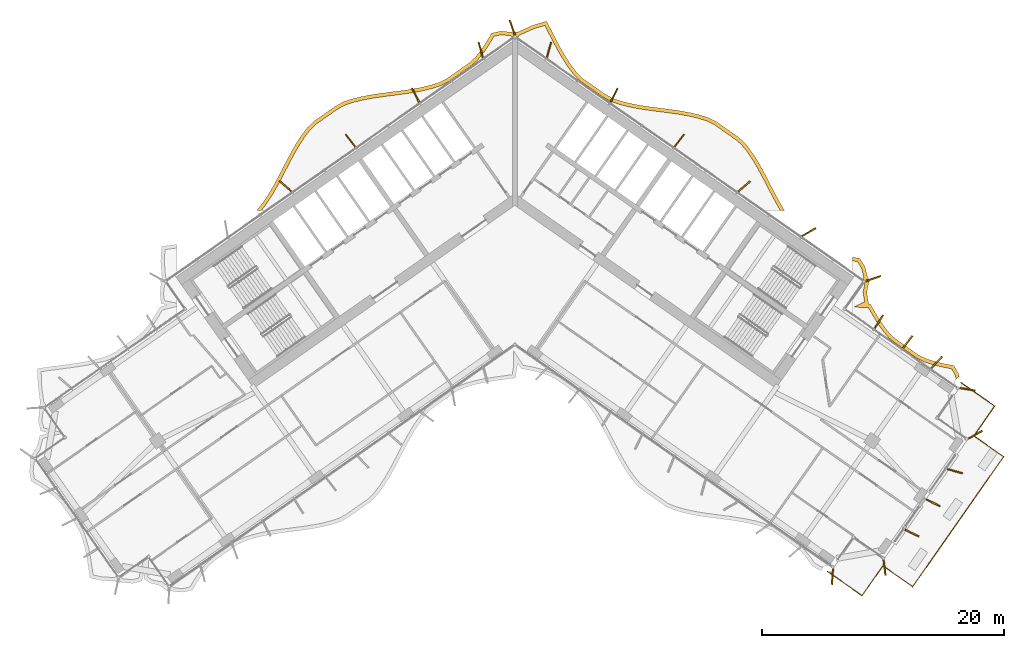
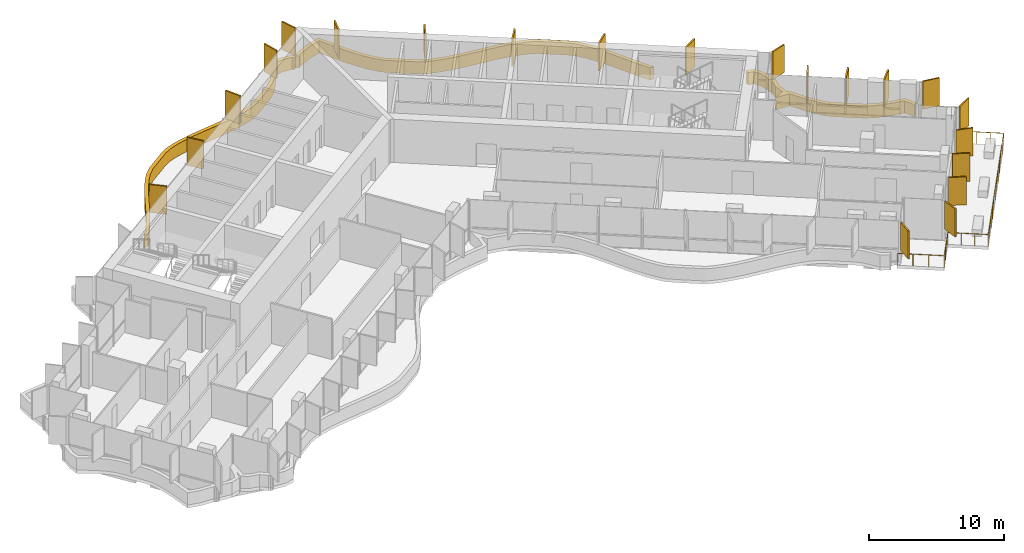
# One storey, part 21 of 22: 23 shading devices, 1 railing.
"""IFC4 building model written with IfcOpenShell, lengths in metres."""

from ifc_helpers import new_model, si_unit, direction, frame, origin, origin_2d, place, context, subcontext, project, spatial, polyline, rectangle, circle, outline, extrude, material, layer, layer_set, type_object, element, save


model = new_model("IFC4")

# Units and contexts
model_context = context("Model", 3, precision=1e-05, world=origin(), true_north=direction((0.0, 1.0)))
body_context = subcontext(model_context, "Body", "Model", "MODEL_VIEW")
ifc_project = project(units=[si_unit("LENGTHUNIT", "METRE"), si_unit("AREAUNIT", "SQUARE_METRE"), si_unit("VOLUMEUNIT", "CUBIC_METRE"), si_unit("PLANEANGLEUNIT", "RADIAN"), si_unit("MASSUNIT", "GRAM", prefix="KILO")], contexts=[model_context])

# Site, building, storey
site_placement = place(None, origin())
site = spatial("IfcSite", under=ifc_project, at=site_placement, CompositionType="ELEMENT")
building_placement = place(site_placement, origin())
building = spatial("IfcBuilding", under=site, at=building_placement, Name="Tel Ilan Convention Tower", CompositionType="ELEMENT")
storey_placement = place(building_placement, frame((0.0, 0.0, 143.699951171875)))
storey = spatial("IfcBuildingStorey", under=building, at=storey_placement, Name="L32", CompositionType="ELEMENT", Elevation=143.699951171875)

# Shading devices
ifc_material_1 = material(Name="Aluminium, bronze anodised", Category="aluminium")
ifc_layer_1 = layer(ifc_material_1, 0.1201171875)
ifc_layer_set_1 = layer_set([ifc_layer_1], Name="FIN BRONZE 1300x120")
shading_device_type_1 = type_object("IfcShadingDeviceType", Name="FIN BRONZE 1300x120", PredefinedType="USERDEFINED", material=ifc_layer_set_1)
for number, where, z_axis, x_axis, name in (
    (1, (32.76708984375, -28.26123046875, 1.10009765625), (0.0, 0.0, 1.0), (0.893632640321, -0.448799180206, 0.0), "FIN"),
    (2, (34.5166015625, -25.762939453125, 1.10009765625), (0.0, 0.0, 1.0), (0.893632640321, -0.448799180206, 0.0), "FIN"),
    (3, (36.320556640625, -23.153564453125, 1.10009765625), (0.0, 0.0, 1.0), (0.963370878614, -0.268172612768, 0.0), "FIN"),
    (4, (38.01318359375, -20.146728515625, 1.10009765625), (0.0, 0.0, 1.0), (0.870832754082, 0.491579408049, 0.0), "FIN"),
    (5, (37.3515625, -16.394775390625, 1.10009765625), (0.0, 0.0, 1.0), (0.986445172547, -0.16409119891, 0.0), "FIN"),
    (6, (34.807373046875, -14.17724609375, 1.10009765625), (0.0, 0.0, 1.0), (0.686241637865, 0.727373641577, 0.0), "FIN"),
    (7, (32.421630859375, -12.50634765625, 1.10009765625), (0.0, 0.0, 1.0), (0.612600545196, 0.790392669516, 0.0), "FIN"),
    (8, (30.035400390625, -10.83544921875, 1.10009765625), (0.0, 0.0, 1.0), (0.533204432798, 0.845986425922, 0.0), "FIN"),
    (9, (29.583984375, -7.253173828125, 1.10009765625), (0.0, 0.0, 1.0), (0.949242643575, 0.314544756146, 0.0), "FIN"),
    (10, (24.270751953125, -3.427001953125, 1.10009765625), (0.0, 0.0, 1.0), (0.866025403784, 0.5, 0.0), "FIN"),
    (11, (18.926025390625, 0.353271484375, 1.10009765625), (0.0, 0.0, 1.0), (0.753435896329, 0.657521368568, 0.0), "FIN"),
    (12, (13.562744140625, 4.116943359375, 1.10009765625), (0.0, 0.0, 1.0), (0.612600545196, 0.790392669516, 0.0), "FIN"),
    (13, (8.1943359375, 7.87548828125, 1.10009765625), (0.0, 0.0, 1.0), (0.448799180206, 0.893632640321, 0.0), "FIN"),
    (14, (2.818115234375, 11.616943359375, 1.10009765625), (0.0, 0.0, 1.0), (0.268172612768, 0.963370878614, 0.0), "FIN"),
    (15, (-0.21630859375, 13.450439453125, 1.10009765625), (0.0, 0.0, 1.0), (-0.332892691468, 0.942964716183, 0.0), "FIN"),
    (16, (-2.818115234375, 11.616943359375, 1.10009765625), (0.0, 0.0, 1.0), (-0.268172612768, 0.963370878614, 0.0), "FIN"),
    (17, (-8.1943359375, 7.87548828125, 1.10009765625), (0.0, 0.0, 1.0), (-0.448799180206, 0.893632640321, 0.0), "FIN"),
    (18, (-13.562744140625, 4.116943359375, 1.10009765625), (0.0, 0.0, 1.0), (-0.612600545196, 0.790392669516, 0.0), "FIN"),
    (19, (-18.926025390625, 0.353271484375, 1.10009765625), (0.0, 0.0, 1.0), (-0.753435896329, 0.657521368568, 0.0), "FIN"),
    (20, (26.21044921875, -31.8623046875, 1.10009765625), (0.0, 0.0, 1.0), (-0.067821812994, -0.997697449973, 0.0), "FIN"),
    (21, (30.512451171875, -31.110595703125, 1.10009765625), (0.0, 0.0, 1.0), (0.125718016748, -0.992066016082, 0.0), "FIN"),
):
    element("IfcShadingDevice", number, at=place(storey_placement, frame(where, z_axis=z_axis, x_axis=x_axis)), inside=storey, type_object=shading_device_type_1, Name=name, ObjectType="FIN", PredefinedType="USERDEFINED", context=body_context, shape_type="SweptSolid", body=[
        extrude(rectangle(XDim=1.300048828125, YDim=0.1201171875, at=origin_2d()), origin(), (0.0, 0.0, 1.0), 2.52001953125),
    ])
ifc_material_2 = material(Name="Aluminium, bronze anodised", Category="aluminium")
ifc_layer_2 = layer(ifc_material_2, 0.300048828125)
ifc_layer_set_2 = layer_set([ifc_layer_2], Name="LOUVRE BAND 300x1100")
shading_device_type_2 = type_object("IfcShadingDeviceType", Name="LOUVRE BAND 300x1100", PredefinedType="USERDEFINED", material=ifc_layer_set_2)
shading_device_1_placement = place(storey_placement, origin())
element("IfcShadingDevice", 22, at=shading_device_1_placement, inside=storey, type_object=shading_device_type_2, Name="LOUVRE BAND 26.01", ObjectType="LOUVRE", PredefinedType="USERDEFINED", context=body_context, shape_type="SweptSolid", body=[
    extrude(outline(polyline([(28.465576171875, -5.595458984375), (27.874755859375, -5.485595703125), (27.874755859375, -5.790771484375), (28.28271484375, -5.86669921875), (28.614990234375, -6.387451171875), (28.806640625, -7.1533203125), (28.713134765625, -7.286865234375), (28.958740234375, -7.458984375), (28.787353515625, -7.705322265625), (28.869384765625, -7.7626953125), (28.73974609375, -8.364990234375), (28.8642578125, -9.165283203125), (28.0048828125, -9.60888671875), (29.1767578125, -9.66748046875), (29.4873046875, -10.21435546875), (29.89990234375, -10.88916015625), (30.34521484375, -11.528564453125), (30.840576171875, -12.135986328125), (31.430419921875, -12.60791015625), (33.2109375, -13.8544921875), (33.9091796875, -14.1796875), (34.653564453125, -14.409912109375), (35.416748046875, -14.58935546875), (36.052734375, -14.7099609375), (36.35009765625, -15.24609375), (36.4267578125, -15.54736328125), (36.52294921875, -15.447021484375), (36.605712890625, -15.39453125), (36.689208984375, -15.361572265625), (36.63134765625, -15.134521484375), (36.246826171875, -14.44140625), (35.47900390625, -14.2958984375), (34.732177734375, -14.1201171875), (34.017333984375, -13.899169921875), (33.361328125, -13.59375), (31.6103515625, -12.36767578125), (31.052978515625, -11.921630859375), (30.5849609375, -11.347900390625), (30.151123046875, -10.72509765625), (29.74560546875, -10.06201171875), (29.356201171875, -9.3759765625), (29.132080078125, -9.36474609375), (29.19384765625, -9.332763671875), (29.044921875, -8.373779296875), (29.20458984375, -7.631103515625), (29.199951171875, -7.6279296875), (29.236083984375, -7.57373046875), (29.2587890625, -7.458984375), (29.236083984375, -7.34423828125), (29.1708984375, -7.246826171875), (29.127685546875, -7.218017578125), (28.894287109375, -6.267333984375), (28.465576171875, -5.595458984375)])), origin(), (0.0, 0.0, 1.0), 1.10009765625),
])
shading_device_2_placement = place(storey_placement, origin())
element("IfcShadingDevice", 23, at=shading_device_2_placement, inside=storey, type_object=shading_device_type_2, Name="LOUVRE BAND 26.03", ObjectType="LOUVRE", PredefinedType="USERDEFINED", context=body_context, shape_type="SweptSolid", body=[
    extrude(outline(polyline([(-20.849609375, -1.0634765625), (-21.30126953125, -1.631591796875), (-20.91796875, -1.631591796875), (-20.607666015625, -1.2412109375), (-20.154052734375, -0.572265625), (-19.73291015625, 0.13330078125), (-19.335205078125, 0.86328125), (-18.57080078125, 2.342041015625), (-18.1845703125, 3.06298828125), (-17.78369140625, 3.75341796875), (-17.359619140625, 4.40185546875), (-16.911376953125, 4.99072265625), (-16.409912109375, 5.478515625), (-14.633056640625, 6.722412109375), (-14.02197265625, 7.05712890625), (-13.32763671875, 7.284912109375), (-12.58056640625, 7.4697265625), (-11.800048828125, 7.61669921875), (-10.994384765625, 7.73681640625), (-9.345458984375, 7.94873046875), (-8.521484375, 8.068603515625), (-7.710693359375, 8.216064453125), (-6.921875, 8.404296875), (-6.152587890625, 8.64794921875), (-5.447509765625, 9.00390625), (-3.604248046875, 10.29443359375), (-3.021484375, 10.82373046875), (-2.525634765625, 11.46142578125), (-2.076904296875, 12.135498046875), (-1.727783203125, 12.727294921875), (-1.12451171875, 12.861572265625), (-0.33935546875, 12.77978515625), (-0.24609375, 12.646728515625), (0.0, 12.818115234375), (0.24609375, 12.646728515625), (0.3701171875, 12.82373046875), (1.583984375, 13.365234375), (2.46484375, 13.628173828125), (3.115478515625, 12.37158203125), (3.5078125, 11.636474609375), (3.92041015625, 10.921630859375), (4.362548828125, 10.239501953125), (4.84716796875, 9.595947265625), (5.407958984375, 9.031494140625), (7.251220703125, 7.74072265625), (7.93212890625, 7.353759765625), (8.69921875, 7.09716796875), (9.48291015625, 6.89990234375), (10.2900390625, 6.745361328125), (11.112060546875, 6.621337890625), (12.762939453125, 6.408935546875), (13.572509765625, 6.29248046875), (14.3583984375, 6.15185546875), (15.11279296875, 5.97509765625), (15.819580078125, 5.75537109375), (16.44921875, 5.450927734375), (18.22607421875, 4.206787109375), (18.74951171875, 3.746826171875), (19.200927734375, 3.172607421875), (19.63037109375, 2.533447265625), (20.03515625, 1.850341796875), (20.423583984375, 1.13427734375), (21.186767578125, -0.3427734375), (21.5810546875, -1.075927734375), (21.906005859375, -1.631591796875), (22.25341796875, -1.631591796875), (21.8427734375, -0.928955078125), (21.4521484375, -0.202880859375), (20.688720703125, 1.27490234375), (20.296142578125, 1.998291015625), (19.884033203125, 2.69384765625), (19.44384765625, 3.34912109375), (18.96826171875, 3.9541015625), (18.41162109375, 4.443115234375), (16.6015625, 5.71044921875), (15.929931640625, 6.03515625), (15.191650390625, 6.2646484375), (14.419189453125, 6.44580078125), (13.6201171875, 6.588623046875), (12.80322265625, 6.7060546875), (11.15380859375, 6.91845703125), (10.340576171875, 7.041259765625), (9.547607421875, 7.19287109375), (8.783447265625, 7.385498046875), (8.054931640625, 7.62890625), (7.411865234375, 7.99462890625), (5.601806640625, 9.261962890625), (5.074462890625, 9.792724609375), (4.608642578125, 10.41162109375), (4.17626953125, 11.078369140625), (3.770263671875, 11.7822265625), (3.38134765625, 12.510986328125), (2.6162109375, 13.986328125), (1.4794921875, 13.647216796875), (0.168701171875, 13.059326171875), (0.11474609375, 13.09521484375), (0.0, 13.1181640625), (-0.11474609375, 13.09521484375), (-0.168701171875, 13.059326171875), (-1.14208984375, 13.1650390625), (-1.919921875, 12.991943359375), (-2.3310546875, 12.294921875), (-2.769287109375, 11.63671875), (-3.242431640625, 11.0283203125), (-3.7919921875, 10.529296875), (-5.601806640625, 9.261962890625), (-6.26611328125, 8.926513671875), (-7.002197265625, 8.693603515625), (-7.7724609375, 8.509765625), (-8.570068359375, 8.36474609375), (-9.385986328125, 8.24609375), (-11.03564453125, 8.033935546875), (-11.849853515625, 7.91259765625), (-12.644287109375, 7.76318359375), (-13.41064453125, 7.573486328125), (-14.141845703125, 7.33349609375), (-14.791748046875, 6.977783203125), (-16.6015625, 5.71044921875), (-17.136474609375, 5.1904296875), (-17.604736328125, 4.574951171875), (-18.0390625, 3.9111328125), (-18.44677734375, 3.209228515625), (-18.83642578125, 2.481689453125), (-19.60009765625, 1.004150390625), (-19.993408203125, 0.281982421875), (-20.4072265625, -0.4111328125), (-20.849609375, -1.0634765625)])), origin(), (0.0, 0.0, 1.0), 1.10009765625),
])

# Railing
ifc_material_3 = material(Name="Stainless steel S316", Category="steel")
railing_type = type_object("IfcRailingType", Name="TERRACE GUARD 1100", PredefinedType="GUARDRAIL", material=ifc_material_3)
railing_placement = place(storey_placement, frame((36.83154296875, -15.840576171875, 0.0)))
element("IfcRailing", 24, at=railing_placement, inside=storey, type_object=railing_type, Name="Terrace guard 26.01", PredefinedType="GUARDRAIL", context=body_context, shape_type="SweptSolid", body=[
    extrude(circle(Radius=0.02490234375, at=origin_2d()), frame((0.0, 0.0, 1.0751953125), z_axis=(0.819194741117, -0.57351545413, 0.0), x_axis=(0.57351545413, 0.819194741117, 0.0)), (0.0, 0.0, 1.0), 3.3935546875),
    extrude(circle(Radius=0.02490234375, at=origin_2d()), frame((2.780029296875, -1.9462890625, 1.0751953125), z_axis=(-0.573560650686, -0.819163097304, 0.0), x_axis=(0.819163097304, -0.573560650686, 0.0)), (0.0, 0.0, 1.0), 3.0),
    extrude(circle(Radius=0.02490234375, at=origin_2d()), frame((1.059326171875, -4.40380859375, 1.0751953125), z_axis=(0.819136323161, -0.573598887793, 0.0), x_axis=(0.573598887793, 0.819136323161, 0.0)), (0.0, 0.0, 1.0), 2.999755859375),
    extrude(circle(Radius=0.02490234375, at=origin_2d()), frame((3.5166015625, -6.12451171875, 1.0751953125), z_axis=(-0.573564904585, -0.819160118798, 0.0), x_axis=(0.819160118798, -0.573564904585, 0.0)), (0.0, 0.0, 1.0), 13.099853515625),
    extrude(circle(Radius=0.02490234375, at=origin_2d()), frame((-3.9970703125, -16.85546875, 1.0751953125), z_axis=(-0.819163097304, 0.573560650686, 0.0), x_axis=(-0.573560650686, -0.819163097304, 0.0)), (0.0, 0.0, 1.0), 3.0),
    extrude(circle(Radius=0.02490234375, at=origin_2d()), frame((-6.45458984375, -15.134765625, 1.0751953125), z_axis=(-0.573598887793, -0.819136323161, 0.0), x_axis=(0.819136323161, -0.573598887793, 0.0)), (0.0, 0.0, 1.0), 2.999755859375),
    extrude(circle(Radius=0.02490234375, at=origin_2d()), frame((-8.17529296875, -17.592041015625, 1.0751953125), z_axis=(-0.81918905043, 0.573523582475, 0.0), x_axis=(-0.573523582475, -0.81918905043, 0.0)), (0.0, 0.0, 1.0), 3.478271484375),
    extrude(circle(Radius=0.02490234375, at=origin_2d()), origin(), (0.0, 0.0, 1.0), 1.050048828125),
    extrude(circle(Radius=0.02490234375, at=origin_2d()), frame((0.9267578125, -0.648681640625, 0.0)), (0.0, 0.0, 1.0), 1.050048828125),
    extrude(circle(Radius=0.02490234375, at=origin_2d()), frame((1.853271484375, -1.297607421875, 0.0)), (0.0, 0.0, 1.0), 1.050048828125),
    extrude(circle(Radius=0.02490234375, at=origin_2d()), frame((2.780029296875, -1.9462890625, 0.0)), (0.0, 0.0, 1.0), 1.050048828125),
    extrude(circle(Radius=0.02490234375, at=origin_2d()), frame((2.20654296875, -2.765380859375, 0.0)), (0.0, 0.0, 1.0), 1.050048828125),
    extrude(circle(Radius=0.02490234375, at=origin_2d()), frame((1.6328125, -3.584716796875, 0.0)), (0.0, 0.0, 1.0), 1.050048828125),
    extrude(circle(Radius=0.02490234375, at=origin_2d()), frame((1.059326171875, -4.40380859375, 0.0)), (0.0, 0.0, 1.0), 1.050048828125),
    extrude(circle(Radius=0.02490234375, at=origin_2d()), frame((1.87841796875, -4.977294921875, 0.0)), (0.0, 0.0, 1.0), 1.050048828125),
    extrude(circle(Radius=0.02490234375, at=origin_2d()), frame((2.697509765625, -5.551025390625, 0.0)), (0.0, 0.0, 1.0), 1.050048828125),
    extrude(circle(Radius=0.02490234375, at=origin_2d()), frame((3.5166015625, -6.12451171875, 0.0)), (0.0, 0.0, 1.0), 1.050048828125),
    extrude(circle(Radius=0.02490234375, at=origin_2d()), frame((2.83349609375, -7.10009765625, 0.0)), (0.0, 0.0, 1.0), 1.050048828125),
    extrude(circle(Radius=0.02490234375, at=origin_2d()), frame((2.150390625, -8.07568359375, 0.0)), (0.0, 0.0, 1.0), 1.050048828125),
    extrude(circle(Radius=0.02490234375, at=origin_2d()), frame((1.467529296875, -9.051025390625, 0.0)), (0.0, 0.0, 1.0), 1.050048828125),
    extrude(circle(Radius=0.02490234375, at=origin_2d()), frame((0.784423828125, -10.026611328125, 0.0)), (0.0, 0.0, 1.0), 1.050048828125),
    extrude(circle(Radius=0.02490234375, at=origin_2d()), frame((0.101318359375, -11.002197265625, 0.0)), (0.0, 0.0, 1.0), 1.050048828125),
    extrude(circle(Radius=0.02490234375, at=origin_2d()), frame((-0.581787109375, -11.977783203125, 0.0)), (0.0, 0.0, 1.0), 1.050048828125),
    extrude(circle(Radius=0.02490234375, at=origin_2d()), frame((-1.264892578125, -12.953369140625, 0.0)), (0.0, 0.0, 1.0), 1.050048828125),
    extrude(circle(Radius=0.02490234375, at=origin_2d()), frame((-1.947998046875, -13.928955078125, 0.0)), (0.0, 0.0, 1.0), 1.050048828125),
    extrude(circle(Radius=0.02490234375, at=origin_2d()), frame((-2.630859375, -14.904296875, 0.0)), (0.0, 0.0, 1.0), 1.050048828125),
    extrude(circle(Radius=0.02490234375, at=origin_2d()), frame((-3.31396484375, -15.8798828125, 0.0)), (0.0, 0.0, 1.0), 1.050048828125),
    extrude(circle(Radius=0.02490234375, at=origin_2d()), frame((-3.9970703125, -16.85546875, 0.0)), (0.0, 0.0, 1.0), 1.050048828125),
    extrude(circle(Radius=0.02490234375, at=origin_2d()), frame((-4.816162109375, -16.281982421875, 0.0)), (0.0, 0.0, 1.0), 1.050048828125),
    extrude(circle(Radius=0.02490234375, at=origin_2d()), frame((-5.635498046875, -15.708251953125, 0.0)), (0.0, 0.0, 1.0), 1.050048828125),
    extrude(circle(Radius=0.02490234375, at=origin_2d()), frame((-6.45458984375, -15.134765625, 0.0)), (0.0, 0.0, 1.0), 1.050048828125),
    extrude(circle(Radius=0.02490234375, at=origin_2d()), frame((-7.028076171875, -15.953857421875, 0.0)), (0.0, 0.0, 1.0), 1.050048828125),
    extrude(circle(Radius=0.02490234375, at=origin_2d()), frame((-7.601806640625, -16.77294921875, 0.0)), (0.0, 0.0, 1.0), 1.050048828125),
    extrude(circle(Radius=0.02490234375, at=origin_2d()), frame((-8.17529296875, -17.592041015625, 0.0)), (0.0, 0.0, 1.0), 1.050048828125),
    extrude(circle(Radius=0.02490234375, at=origin_2d()), frame((-9.125, -16.927001953125, 0.0)), (0.0, 0.0, 1.0), 1.050048828125),
    extrude(circle(Radius=0.02490234375, at=origin_2d()), frame((-10.074951171875, -16.26220703125, 0.0)), (0.0, 0.0, 1.0), 1.050048828125),
    extrude(circle(Radius=0.02490234375, at=origin_2d()), frame((-11.024658203125, -15.59716796875, 0.0)), (0.0, 0.0, 1.0), 1.050048828125),
])

save(model, "model.ifc")
